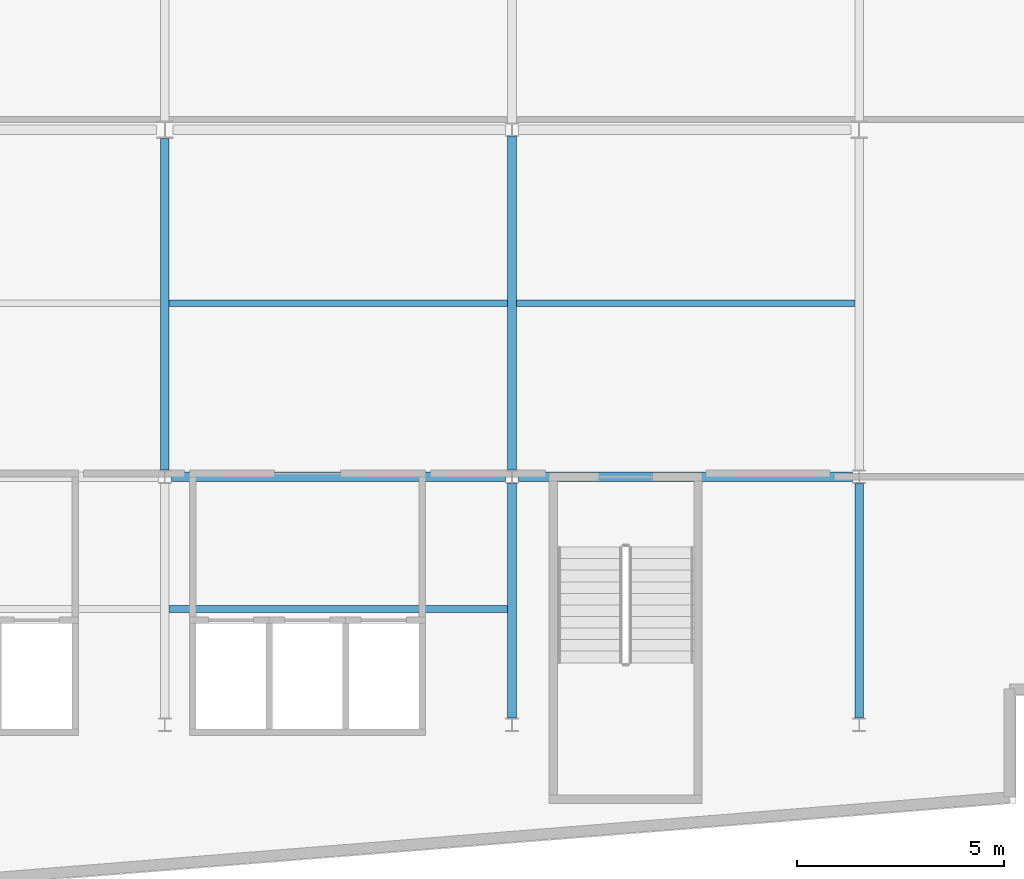
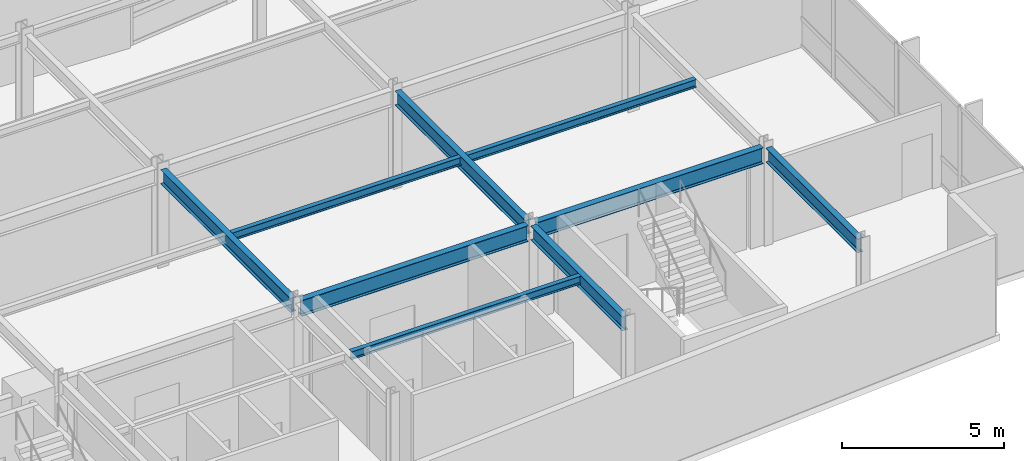
# One storey, part 4 of 17: 9 beams.
"""IFC4 building model written with IfcOpenShell, lengths in metres."""

from ifc_helpers import new_model, si_unit, direction, frame, origin, origin_2d, place, context, subcontext, project, spatial, i_section, extrude, material, material_profile, profile_set, type_object, element, save


model = new_model("IFC4")

# Units and contexts
model_context = context("Model", 3, precision=1e-05, world=origin(), true_north=direction((0.0, 1.0)))
body_context = subcontext(model_context, "Body", "Model", "MODEL_VIEW")
ifc_project = project(units=[si_unit("LENGTHUNIT", "METRE"), si_unit("AREAUNIT", "SQUARE_METRE"), si_unit("VOLUMEUNIT", "CUBIC_METRE"), si_unit("PLANEANGLEUNIT", "RADIAN"), si_unit("MASSUNIT", "GRAM", prefix="KILO")], contexts=[model_context])

# Site, building, storey
site_placement = place(None, origin())
site = spatial("IfcSite", under=ifc_project, at=site_placement, CompositionType="ELEMENT")
building_placement = place(site_placement, origin())
building = spatial("IfcBuilding", under=site, at=building_placement, Name="Varnakote Quay Hospital", CompositionType="ELEMENT")
storey_placement = place(building_placement, frame((0.0, 0.0, 103.35009765625)))
storey = spatial("IfcBuildingStorey", under=building, at=storey_placement, Name="L25", CompositionType="ELEMENT", Elevation=103.35009765625)

# Beams
ifc_material_1 = material(Name="Structural steel AS/NZS 3679.1 Grade 350 L0 (fy 340 MPa)", Category="steel")
ifc_material_profile_1 = material_profile(ifc_material_1, i_section(OverallWidth=0.208984375, OverallDepth=0.532958984375, WebThickness=0.01025390625, FlangeThickness=0.015625, FilletRadius=0.013916015625, at=origin_2d()), Name="530UB92.4")
ifc_profile_set_1 = profile_set([ifc_material_profile_1], Name="Structural steel AS/NZS 3679.1 Grade 350 L0 (fy 340 MPa)")
beam_type_1 = type_object("IfcBeamType", Name="BM-STL-530UB92-4", PredefinedType="BEAM", material=ifc_profile_set_1)
beam_1_placement = place(storey_placement, frame((33.60009765625, 12.160400390625, 3.443359375), z_axis=(0.0, 1.0, 0.0), x_axis=(-1.0, 0.0, 0.0)))
element("IfcBeam", 1, at=beam_1_placement, inside=storey, type_object=beam_type_1, Name="L25 Primary Tie Beam", PredefinedType="BEAM", context=body_context, shape_type="SweptSolid", body=[
    extrude(i_section(OverallWidth=0.208984375, OverallDepth=0.532958984375, WebThickness=0.01025390625, FlangeThickness=0.015625, FilletRadius=0.013916015625, at=origin_2d()), origin(), (0.0, 0.0, 1.0), 8.029541015625),
])
beam_2_placement = place(storey_placement, frame((42.0, 6.160400390625, 3.443359375), z_axis=(0.0, 1.0, 0.0), x_axis=(-1.0, 0.0, 0.0)))
element("IfcBeam", 2, at=beam_2_placement, inside=storey, type_object=beam_type_1, Name="L25 Primary Tie Beam", PredefinedType="BEAM", context=body_context, shape_type="SweptSolid", body=[
    extrude(i_section(OverallWidth=0.208984375, OverallDepth=0.532958984375, WebThickness=0.01025390625, FlangeThickness=0.015625, FilletRadius=0.013916015625, at=origin_2d()), origin(), (0.0, 0.0, 1.0), 5.67919921875),
])
beam_3_placement = place(storey_placement, frame((42.0, 12.160400390625, 3.443359375), z_axis=(0.0, 1.0, 0.0), x_axis=(-1.0, 0.0, 0.0)))
element("IfcBeam", 3, at=beam_3_placement, inside=storey, type_object=beam_type_1, Name="L25 Primary Tie Beam", PredefinedType="BEAM", context=body_context, shape_type="SweptSolid", body=[
    extrude(i_section(OverallWidth=0.208984375, OverallDepth=0.532958984375, WebThickness=0.01025390625, FlangeThickness=0.015625, FilletRadius=0.013916015625, at=origin_2d()), origin(), (0.0, 0.0, 1.0), 8.0791015625),
])
beam_4_placement = place(storey_placement, frame((50.39990234375, 6.160400390625, 3.443359375), z_axis=(0.0, 1.0, 0.0), x_axis=(-1.0, 0.0, 0.0)))
element("IfcBeam", 4, at=beam_4_placement, inside=storey, type_object=beam_type_1, Name="L25 Primary Tie Beam", PredefinedType="BEAM", context=body_context, shape_type="SweptSolid", body=[
    extrude(i_section(OverallWidth=0.208984375, OverallDepth=0.532958984375, WebThickness=0.01025390625, FlangeThickness=0.015625, FilletRadius=0.013916015625, at=origin_2d()), origin(), (0.0, 0.0, 1.0), 5.67919921875),
])
ifc_material_2 = material(Name="Structural steel AS/NZS 3679.1 Grade 350 L0 (fy 340 MPa)", Category="steel")
ifc_material_profile_2 = material_profile(ifc_material_2, i_section(OverallWidth=0.22802734375, OverallDepth=0.60205078125, WebThickness=0.010498046875, FlangeThickness=0.014892578125, FilletRadius=0.013916015625, at=origin_2d()), Name="610UB101")
ifc_profile_set_2 = profile_set([ifc_material_profile_2], Name="Structural steel AS/NZS 3679.1 Grade 350 L0 (fy 340 MPa)")
beam_type_2 = type_object("IfcBeamType", Name="BM-STL-610UB101", PredefinedType="BEAM", material=ifc_profile_set_2)
for number, where, z_axis, x_axis, name in (
    (5, (33.75439453125, 12.0, 3.408935546875), (1.0, 0.0, 0.0), (0.0, 1.0, 0.0), "L25 Primary Floor Beam"),
    (6, (42.154541015625, 12.0, 3.408935546875), (1.0, 0.0, 0.0), (0.0, 1.0, 0.0), "L25 Primary Floor Beam"),
):
    element("IfcBeam", number, at=place(storey_placement, frame(where, z_axis=z_axis, x_axis=x_axis)), inside=storey, type_object=beam_type_2, Name=name, PredefinedType="BEAM", context=body_context, shape_type="SweptSolid", body=[
        extrude(i_section(OverallWidth=0.22802734375, OverallDepth=0.60205078125, WebThickness=0.010498046875, FlangeThickness=0.014892578125, FilletRadius=0.013916015625, at=origin_2d()), origin(), (0.0, 0.0, 1.0), 8.091064453125),
    ])
ifc_material_3 = material(Name="Structural steel AS/NZS 3679.1 Grade 350 L0 (fy 340 MPa)", Category="steel")
ifc_material_profile_3 = material_profile(ifc_material_3, i_section(OverallWidth=0.1650390625, OverallDepth=0.303955078125, WebThickness=0.006103515625, FlangeThickness=0.01025390625, FilletRadius=0.011474609375, at=origin_2d()), Name="310UB40.4")
ifc_profile_set_3 = profile_set([ifc_material_profile_3], Name="Structural steel AS/NZS 3679.1 Grade 350 L0 (fy 340 MPa)")
beam_type_3 = type_object("IfcBeamType", Name="JST-STL-310UB40-4", PredefinedType="JOIST", material=ifc_profile_set_3)
for number, where, z_axis, x_axis, name in (
    (7, (33.70458984375, 8.800048828125, 3.557861328125), (1.0, 0.0, 0.0), (0.0, 1.0, 0.0), "L25 Composite Floor Joist"),
    (8, (33.70458984375, 16.199951171875, 3.557861328125), (1.0, 0.0, 0.0), (0.0, 1.0, 0.0), "L25 Composite Floor Joist"),
    (9, (42.1044921875, 16.199951171875, 3.557861328125), (1.0, 0.0, 0.0), (0.0, 1.0, 0.0), "L25 Composite Floor Joist"),
):
    element("IfcBeam", number, at=place(storey_placement, frame(where, z_axis=z_axis, x_axis=x_axis)), inside=storey, type_object=beam_type_3, Name=name, PredefinedType="JOIST", context=body_context, shape_type="SweptSolid", body=[
        extrude(i_section(OverallWidth=0.1650390625, OverallDepth=0.303955078125, WebThickness=0.006103515625, FlangeThickness=0.01025390625, FilletRadius=0.011474609375, at=origin_2d()), origin(), (0.0, 0.0, 1.0), 8.19091796875),
    ])

save(model, "model.ifc")
